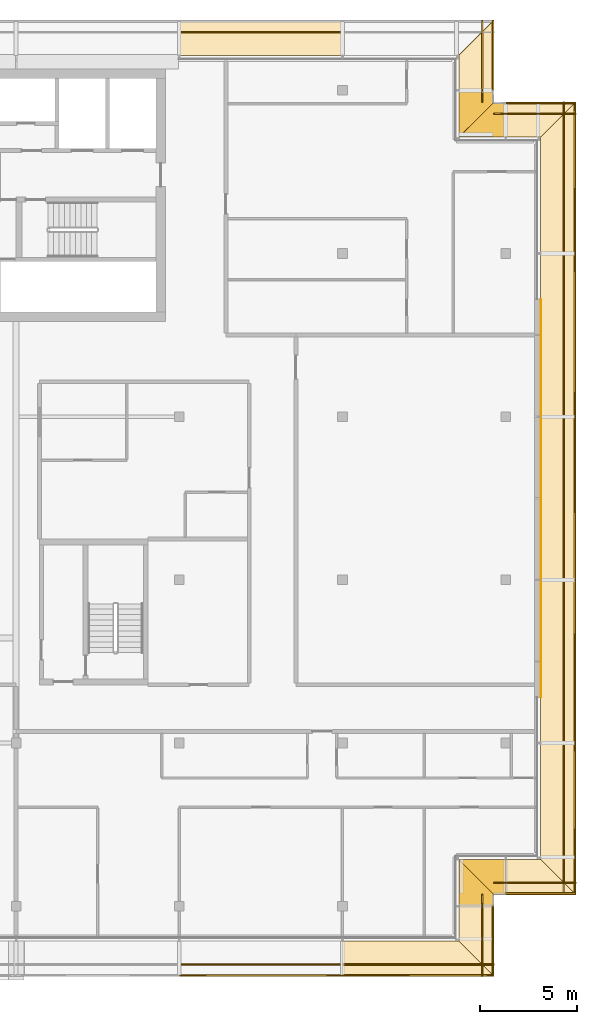
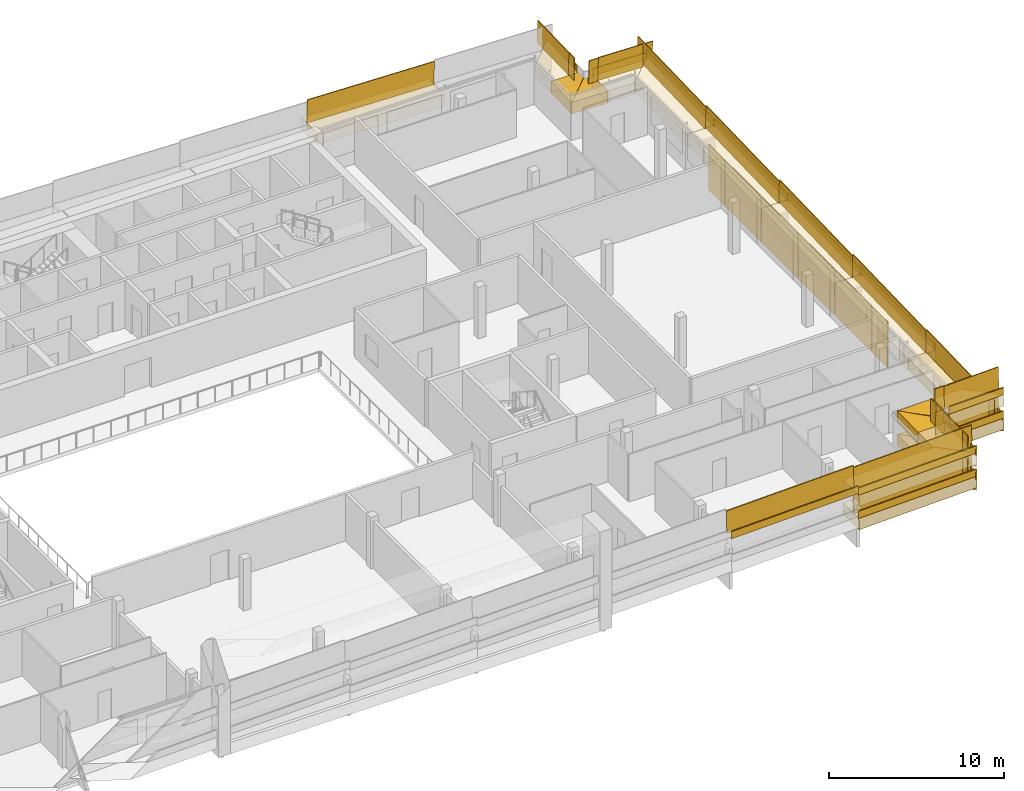
# One storey, part 29 of 33: 40 coverings, 21 railings.
"""IFC4 building model written with IfcOpenShell, lengths in metres."""

from ifc_helpers import new_model, si_unit, direction, frame, origin, origin_2d, place, context, subcontext, project, spatial, polyline, rectangle, outline, extrude, material, layer, layer_set, type_object, element, save


model = new_model("IFC4")

# Units and contexts
model_context = context("Model", 3, precision=1e-05, world=origin(), true_north=direction((0.0, 1.0)))
body_context = subcontext(model_context, "Body", "Model", "MODEL_VIEW")
ifc_project = project(units=[si_unit("LENGTHUNIT", "METRE"), si_unit("AREAUNIT", "SQUARE_METRE"), si_unit("VOLUMEUNIT", "CUBIC_METRE"), si_unit("PLANEANGLEUNIT", "RADIAN"), si_unit("MASSUNIT", "GRAM", prefix="KILO")], contexts=[model_context])

# Site, building, storey
site_placement = place(None, origin())
site = spatial("IfcSite", under=ifc_project, at=site_placement, CompositionType="ELEMENT")
building_placement = place(site_placement, origin())
building = spatial("IfcBuilding", under=site, at=building_placement, Name="Saffron Gate Tower", CompositionType="ELEMENT")
storey_placement = place(building_placement, frame((0.0, 0.0, 263.550048828125)))
storey = spatial("IfcBuildingStorey", under=building, at=storey_placement, Name="L63", CompositionType="ELEMENT", Elevation=263.550048828125)

# Coverings
ifc_material_1 = material(Name="Ceramic-printed bronze insulated panel")
ifc_layer_1 = layer(ifc_material_1, 0.0400390625)
ifc_layer_set_1 = layer_set([ifc_layer_1], Name="CLDA ceramic-printed bay cladding 40")
covering_type_1 = type_object("IfcCoveringType", Name="CLDA ceramic-printed bay cladding 40", PredefinedType="CLADDING", material=ifc_layer_set_1)
covering_1_placement = place(storey_placement, origin())
element("IfcCovering", 1, at=covering_1_placement, inside=storey, type_object=covering_type_1, Name="CLADDING bay panel in front of the arch", PredefinedType="CLADDING", context=body_context, shape_type="SweptSolid", body=[
    extrude(outline(polyline([(127.239990234375, 42.55078125), (127.239990234375, 44.3701171875), (127.199951171875, 44.3701171875), (127.199951171875, 42.55078125), (127.239990234375, 42.55078125)])), origin(), (0.0, 0.0, 1.0), 3.199951171875),
])
covering_2_placement = place(storey_placement, origin())
element("IfcCovering", 2, at=covering_2_placement, inside=storey, type_object=covering_type_1, Name="CLADDING bay panel in front of the arch", PredefinedType="CLADDING", context=body_context, shape_type="SweptSolid", body=[
    extrude(outline(polyline([(127.239990234375, 44.429931640625), (127.239990234375, 48.570068359375), (127.199951171875, 48.570068359375), (127.199951171875, 44.429931640625), (127.239990234375, 44.429931640625)])), origin(), (0.0, 0.0, 1.0), 3.199951171875),
])
covering_3_placement = place(storey_placement, origin())
element("IfcCovering", 3, at=covering_3_placement, inside=storey, type_object=covering_type_1, Name="CLADDING bay panel in front of the arch", PredefinedType="CLADDING", context=body_context, shape_type="SweptSolid", body=[
    extrude(outline(polyline([(127.239990234375, 48.6298828125), (127.239990234375, 52.77001953125), (127.199951171875, 52.77001953125), (127.199951171875, 48.6298828125), (127.239990234375, 48.6298828125)])), origin(), (0.0, 0.0, 1.0), 3.199951171875),
])
covering_4_placement = place(storey_placement, origin())
element("IfcCovering", 4, at=covering_4_placement, inside=storey, type_object=covering_type_1, Name="CLADDING bay panel in front of the arch", PredefinedType="CLADDING", context=body_context, shape_type="SweptSolid", body=[
    extrude(outline(polyline([(127.239990234375, 52.830078125), (127.239990234375, 56.969970703125), (127.199951171875, 56.969970703125), (127.199951171875, 52.830078125), (127.239990234375, 52.830078125)])), origin(), (0.0, 0.0, 1.0), 3.199951171875),
])
covering_5_placement = place(storey_placement, origin())
element("IfcCovering", 5, at=covering_5_placement, inside=storey, type_object=covering_type_1, Name="CLADDING bay panel in front of the arch", PredefinedType="CLADDING", context=body_context, shape_type="SweptSolid", body=[
    extrude(outline(polyline([(127.239990234375, 57.030029296875), (127.239990234375, 61.169921875), (127.199951171875, 61.169921875), (127.199951171875, 57.030029296875), (127.239990234375, 57.030029296875)])), origin(), (0.0, 0.0, 1.0), 3.199951171875),
])
covering_6_placement = place(storey_placement, origin())
element("IfcCovering", 6, at=covering_6_placement, inside=storey, type_object=covering_type_1, Name="CLADDING bay panel in front of the arch", PredefinedType="CLADDING", context=body_context, shape_type="SweptSolid", body=[
    extrude(outline(polyline([(127.239990234375, 61.22998046875), (127.239990234375, 63.04931640625), (127.199951171875, 63.04931640625), (127.199951171875, 61.22998046875), (127.239990234375, 61.22998046875)])), origin(), (0.0, 0.0, 1.0), 3.199951171875),
])
ifc_material_2 = material(Name="Timber, thermally modified ash", Category="wood")
ifc_layer_2 = layer(ifc_material_2, 0.800048828125)
ifc_layer_set_2 = layer_set([ifc_layer_2], Name="LD1 ledge timber")
covering_type_2 = type_object("IfcCoveringType", Name="LD1 ledge timber", PredefinedType="CLADDING", material=ifc_layer_set_2)
covering_7_placement = place(storey_placement, frame((117.0, 30.0, 1.745849609375), z_axis=(-0.028789477025, -2.391759e-05, 0.999585496814), x_axis=(0.9995854971, 1.72e-10, 0.028789477033)))
element("IfcCovering", 7, at=covering_7_placement, inside=storey, type_object=covering_type_2, Name="LEDGE", PredefinedType="CLADDING", context=body_context, shape_type="SweptSolid", body=[
    extrude(outline(polyline([(0.0, 0.0), (6.002489288687248, 8.470329472543003e-22), (7.80328207139786, -1.8000488299785034), (-3.0879623774719253e-10, -1.8000488276101398), (0.0, 0.0)])), origin(), (0.0, 0.0, -1.0), 0.800048828125),
])
covering_8_placement = place(storey_placement, frame((123.0, 30.0, 1.82421875), z_axis=(4.5191264e-05, -0.028786835276, 0.999585572161), x_axis=(2.041e-09, 0.999585573182, 0.028786835305)))
element("IfcCovering", 8, at=covering_8_placement, inside=storey, type_object=covering_type_2, Name="LEDGE", PredefinedType="CLADDING", context=body_context, shape_type="SweptSolid", body=[
    extrude(outline(polyline([(0.0, 0.0), (1.8007927832406818, 0.0), (1.8007927869153135, -1.800048826286925), (-1.8007998076020133, -1.8000488373153904), (0.0, 0.0)])), origin(), (0.0, 0.0, -1.0), 0.800048828125),
])
covering_9_placement = place(storey_placement, frame((123.0, 31.800048828125, 1.84765625), z_axis=(-2.8677152e-05, -0.028798988267, 0.999585222706), x_axis=(-6.17e-10, 0.999585223117, 0.028798988279)))
element("IfcCovering", 9, at=covering_9_placement, inside=storey, type_object=covering_type_2, Name="LEDGE", PredefinedType="CLADDING", context=body_context, shape_type="SweptSolid", body=[
    extrude(outline(polyline([(0.0, 0.0), (2.400896693585025, 4.235164736271502e-22), (0.6001039103565923, -1.8000488292351675), (-1.1098572600196767e-09, -1.8000488273848385), (0.0, 0.0)])), origin(), (0.0, 0.0, -1.0), 0.800048828125),
])
covering_10_placement = place(storey_placement, frame((123.0, 34.199951171875, 1.87890625), z_axis=(-0.028798988267, -2.8677152e-05, 0.999585222706), x_axis=(0.999585223117, -6.17e-10, 0.028798988279)))
element("IfcCovering", 10, at=covering_10_placement, inside=storey, type_object=covering_type_2, Name="LEDGE", PredefinedType="CLADDING", context=body_context, shape_type="SweptSolid", body=[
    extrude(outline(polyline([(0.0, 0.0), (2.400896693585025, -4.235164736271502e-22), (2.400896694694882, -1.8000488273848385), (1.8007927832284332, -1.8000488292351673), (0.0, 0.0)])), origin(), (0.0, 0.0, -1.0), 0.800048828125),
])
covering_11_placement = place(storey_placement, frame((125.39990234375, 34.199951171875, 1.91015625), z_axis=(-0.028831989003, -4.5191205e-05, 0.999584270769), x_axis=(0.999584271789, 2.041e-09, 0.028831989032)))
element("IfcCovering", 11, at=covering_11_placement, inside=storey, type_object=covering_type_2, Name="LEDGE", PredefinedType="CLADDING", context=body_context, shape_type="SweptSolid", body=[
    extrude(outline(polyline([(0.0, 0.0), (1.8007998167885757, 0.0), (3.6015925908427215, -1.800048837315338), (-3.6746077267916745e-09, -1.80004882628693), (0.0, 0.0)])), origin(), (0.0, 0.0, -1.0), 0.800048828125),
])
covering_12_placement = place(storey_placement, frame((127.199951171875, 34.199951171875, 1.933837890625), z_axis=(3.5027307e-05, -0.028807146299, 0.99958498743), x_axis=(3.68e-10, 0.999584988043, 0.028807146316)))
element("IfcCovering", 12, at=covering_12_placement, inside=storey, type_object=covering_type_2, Name="LEDGE", PredefinedType="CLADDING", context=body_context, shape_type="SweptSolid", body=[
    extrude(outline(polyline([(0.0, 0.0), (6.0024892885105, 2.541098841762901e-21), (6.002489289172793, -1.8000488270207489), (-1.800799813548424, -1.8000488321003227), (0.0, 0.0)])), origin(), (0.0, 0.0, -1.0), 0.800048828125),
])
covering_13_placement = place(storey_placement, frame((127.199951171875, 40.199951171875, 2.011962890625), z_axis=(0.0, -0.028819366951, 0.999584635781), x_axis=(0.0, 0.999584635781, 0.028819366951)))
element("IfcCovering", 13, at=covering_13_placement, inside=storey, type_object=covering_type_2, Name="LEDGE", PredefinedType="CLADDING", context=body_context, shape_type="SweptSolid", body=[
    extrude(outline(polyline([(0.0, 0.0), (8.403637054520734, 0.0), (8.403637054520734, -1.800048828125), (0.0, -1.800048828125), (0.0, 0.0)])), origin(), (0.0, 0.0, -1.0), 0.800048828125),
])
for number, where, z_axis, x_axis, name in (
    (14, (127.199951171875, 48.60009765625, 2.121826171875), (0.0, -0.028791175352, 0.999585448184), (0.0, 0.999585448184, 0.028791175352), "LEDGE"),
    (15, (127.199951171875, 57.0, 2.2314453125), (0.0, -0.028791175352, 0.999585448184), (0.0, 0.999585448184, 0.028791175352), "LEDGE"),
):
    element("IfcCovering", number, at=place(storey_placement, frame(where, z_axis=z_axis, x_axis=x_axis)), inside=storey, type_object=covering_type_2, Name=name, PredefinedType="CLADDING", context=body_context, shape_type="SweptSolid", body=[
        extrude(outline(polyline([(0.0, 0.0), (8.403385982666892, 0.0), (8.403385982666892, -1.800048828125), (0.0, -1.800048828125), (0.0, 0.0)])), origin(), (0.0, 0.0, -1.0), 0.800048828125),
    ])
covering_14_placement = place(storey_placement, frame((127.199951171875, 65.39990234375, 2.341064453125), z_axis=(2.391759e-05, -0.028789477025, 0.999585496814), x_axis=(-1.72e-10, 0.9995854971, 0.028789477033)))
element("IfcCovering", 16, at=covering_14_placement, inside=storey, type_object=covering_type_2, Name="LEDGE", PredefinedType="CLADDING", context=body_context, shape_type="SweptSolid", body=[
    extrude(outline(polyline([(0.0, 0.0), (6.002489288687248, 8.470329472543003e-22), (7.80328207139786, -1.8000488299785034), (-3.0879623774719253e-10, -1.8000488276101398), (0.0, 0.0)])), origin(), (0.0, 0.0, -1.0), 0.800048828125),
])
covering_15_placement = place(storey_placement, frame((127.199951171875, 71.39990234375, 2.41943359375), z_axis=(0.028786835276, 4.5191264e-05, 0.999585572161), x_axis=(-0.999585573182, 2.041e-09, 0.028786835305)))
element("IfcCovering", 17, at=covering_15_placement, inside=storey, type_object=covering_type_2, Name="LEDGE", PredefinedType="CLADDING", context=body_context, shape_type="SweptSolid", body=[
    extrude(outline(polyline([(0.0, 0.0), (1.8007927832406818, 0.0), (1.8007927869153135, -1.800048826286925), (-1.8007998076020133, -1.8000488373153904), (0.0, 0.0)])), origin(), (0.0, 0.0, -1.0), 0.800048828125),
])
covering_16_placement = place(storey_placement, frame((125.39990234375, 71.39990234375, 2.44287109375), z_axis=(0.028798988267, -2.8677152e-05, 0.999585222706), x_axis=(-0.999585223117, -6.17e-10, 0.028798988279)))
element("IfcCovering", 18, at=covering_16_placement, inside=storey, type_object=covering_type_2, Name="LEDGE", PredefinedType="CLADDING", context=body_context, shape_type="SweptSolid", body=[
    extrude(outline(polyline([(0.0, 0.0), (2.400896693585025, 4.235164736271502e-22), (0.6001039103565923, -1.8000488292351675), (-1.1098572600196767e-09, -1.8000488273848385), (0.0, 0.0)])), origin(), (0.0, 0.0, -1.0), 0.800048828125),
])
covering_17_placement = place(storey_placement, frame((123.0, 71.39990234375, 2.47412109375), z_axis=(2.6333678e-05, -0.028794305201, 0.999585357683), x_axis=(5.2e-10, 0.99958535803, 0.028794305211)))
element("IfcCovering", 19, at=covering_17_placement, inside=storey, type_object=covering_type_2, Name="LEDGE", PredefinedType="CLADDING", context=body_context, shape_type="SweptSolid", body=[
    extrude(outline(polyline([(0.0, 0.0), (2.401140733194568, 0.0), (2.4011407341303483, -1.8000488275008664), (1.8007927835182762, -1.8000488290612322), (0.0, 0.0)])), origin(), (0.0, 0.0, -1.0), 0.800048828125),
])
covering_18_placement = place(storey_placement, frame((123.0, 73.800048828125, 2.50537109375), z_axis=(4.3887651e-05, -0.028833291474, 0.999584233257), x_axis=(-1.925e-09, 0.99958423422, 0.028833291502)))
element("IfcCovering", 20, at=covering_18_placement, inside=storey, type_object=covering_type_2, Name="LEDGE", PredefinedType="CLADDING", context=body_context, shape_type="SweptSolid", body=[
    extrude(outline(polyline([(0.0, 0.0), (1.8007998168930421, -4.235164736271502e-22), (3.6013485518229187, -1.800048836792318), (-3.4656747156665518e-09, -1.8000488263914396), (0.0, 0.0)])), origin(), (0.0, 0.0, -1.0), 0.800048828125),
])
covering_19_placement = place(storey_placement, frame((117.0, 75.60009765625, 2.607177734375), z_axis=(0.028820203882, 0.0, 0.99958461165), x_axis=(-0.99958461165, 0.0, 0.028820203882)))
element("IfcCovering", 21, at=covering_19_placement, inside=storey, type_object=covering_type_2, Name="LEDGE", PredefinedType="CLADDING", context=body_context, shape_type="SweptSolid", body=[
    extrude(outline(polyline([(0.0, 0.0), (8.40339301530596, 0.0), (8.40339301530596, -1.7998046875), (0.0, -1.7998046875), (0.0, 0.0)])), origin(), (0.0, 0.0, -1.0), 0.800048828125),
])
covering_20_placement = place(storey_placement, frame((117.0, 30.0, 3.374755859375), z_axis=(-0.028789477025, -2.391759e-05, 0.999585496814), x_axis=(0.9995854971, 1.72e-10, 0.028789477033)))
element("IfcCovering", 22, at=covering_20_placement, inside=storey, type_object=covering_type_2, Name="LEDGE", PredefinedType="CLADDING", context=body_context, shape_type="SweptSolid", body=[
    extrude(outline(polyline([(0.0, 0.0), (6.002489288687248, 8.470329472543003e-22), (7.80328207139786, -1.8000488299785034), (-3.0879623774719253e-10, -1.8000488276101398), (0.0, 0.0)])), origin(), (0.0, 0.0, -1.0), 0.800048828125),
])
covering_21_placement = place(storey_placement, frame((123.0, 30.0, 3.453125), z_axis=(0.0, -0.028741681402, 0.999586872538), x_axis=(0.0, 0.999586872538, 0.028741681402)))
element("IfcCovering", 23, at=covering_21_placement, inside=storey, type_object=covering_type_2, Name="LEDGE", PredefinedType="CLADDING", context=body_context, shape_type="SweptSolid", body=[
    extrude(outline(polyline([(0.0, 0.0), (1.8007927850779974, 0.0), (1.8007927850779974, -1.800048828125), (-1.8007927850779974, -1.800048828125), (0.0, 0.0)])), origin(), (0.0, 0.0, -1.0), 0.800048828125),
])
covering_22_placement = place(storey_placement, frame((123.0, 31.800048828125, 3.4765625), z_axis=(-2.8677152e-05, -0.028798988267, 0.999585222706), x_axis=(-6.17e-10, 0.999585223117, 0.028798988279)))
element("IfcCovering", 24, at=covering_22_placement, inside=storey, type_object=covering_type_2, Name="LEDGE", PredefinedType="CLADDING", context=body_context, shape_type="SweptSolid", body=[
    extrude(outline(polyline([(0.0, 0.0), (2.400896693585025, 4.235164736271502e-22), (0.6001039103565923, -1.8000488292351675), (-1.1098572600196767e-09, -1.8000488273848385), (0.0, 0.0)])), origin(), (0.0, 0.0, -1.0), 0.800048828125),
])
covering_23_placement = place(storey_placement, frame((123.0, 34.199951171875, 3.508056640625), z_axis=(-0.028798988267, -2.8677152e-05, 0.999585222706), x_axis=(0.999585223117, -6.17e-10, 0.028798988279)))
element("IfcCovering", 25, at=covering_23_placement, inside=storey, type_object=covering_type_2, Name="LEDGE", PredefinedType="CLADDING", context=body_context, shape_type="SweptSolid", body=[
    extrude(outline(polyline([(0.0, 0.0), (2.400896693585025, -4.235164736271502e-22), (2.400896694694882, -1.8000488273848385), (1.8007927832284332, -1.8000488292351673), (0.0, 0.0)])), origin(), (0.0, 0.0, -1.0), 0.800048828125),
])
covering_24_placement = place(storey_placement, frame((125.39990234375, 34.199951171875, 3.539306640625), z_axis=(-0.028786835276, 4.5191264e-05, 0.999585572161), x_axis=(0.999585573182, 2.041e-09, 0.028786835305)))
element("IfcCovering", 26, at=covering_24_placement, inside=storey, type_object=covering_type_2, Name="LEDGE", PredefinedType="CLADDING", context=body_context, shape_type="SweptSolid", body=[
    extrude(outline(polyline([(0.0, 0.0), (1.8007927832406818, 0.0), (3.601592590842695, -1.8000488373153904), (-3.674631647332522e-09, -1.800048826286925), (0.0, 0.0)])), origin(), (0.0, 0.0, -1.0), 0.800048828125),
])
ifc_layer_3 = layer(ifc_material_2, 0.080078125)
ifc_layer_set_3 = layer_set([ifc_layer_3], Name="LD2 ledge planter trough")
covering_type_3 = type_object("IfcCoveringType", Name="LD2 ledge planter trough", PredefinedType="CLADDING", material=ifc_layer_set_3)
covering_25_placement = place(storey_placement, frame((117.0, 28.199951171875, 1.745849609375), z_axis=(0.0, -1.0, 0.0), x_axis=(0.999585655924, 0.0, 0.028783962047)))
element("IfcCovering", 27, at=covering_25_placement, inside=storey, type_object=covering_type_3, Name="LEDGE planter trough", PredefinedType="CLADDING", context=body_context, shape_type="SweptSolid", body=[
    extrude(outline(polyline([(0.0, 0.0), (7.803282071825423, 2.7755575615628914e-17), (7.817674052849086, 0.4997928279619612), (0.014391981023662846, 0.4997928279619612), (0.0, 0.0)])), origin(), (0.0, 0.0, -1.0), 0.080078125),
])
for number, where, z_axis, x_axis, name in (
    (28, (124.800048828125, 28.199951171875, 1.772216796875), (1.0, 0.0, 0.0), (0.0, 0.99958492274, 0.028809412191), "LEDGE planter trough"),
    (29, (125.39990234375, 32.39990234375, 1.91015625), (0.0, -1.0, 0.0), (0.99958492274, 0.0, 0.028809412191), "LEDGE planter trough"),
):
    element("IfcCovering", number, at=place(storey_placement, frame(where, z_axis=z_axis, x_axis=x_axis)), inside=storey, type_object=covering_type_3, Name=name, PredefinedType="CLADDING", context=body_context, shape_type="SweptSolid", body=[
        extrude(outline(polyline([(0.0, 0.0), (3.601592595435983, 0.0), (3.6159973015313485, 0.4997924613700232), (0.014404706095365512, 0.4997924613700232), (0.0, 0.0)])), origin(), (0.0, 0.0, -1.0), 0.080078125),
    ])
covering_26_placement = place(storey_placement, frame((129.0, 32.39990234375, 1.8818359375), z_axis=(1.0, 0.0, 0.0), x_axis=(0.0, 0.999584755248, 0.028815222999)))
element("IfcCovering", 30, at=covering_26_placement, inside=storey, type_object=covering_type_3, Name="LEDGE planter trough", PredefinedType="CLADDING", context=body_context, shape_type="SweptSolid", body=[
    extrude(outline(polyline([(0.0, 0.0), (7.803289102975944, 0.0), (7.8176967144752565, 0.4997923776238338), (0.014407611499312996, 0.4997923776238338), (0.0, 0.0)])), origin(), (0.0, 0.0, -1.0), 0.080078125),
])
covering_27_placement = place(storey_placement, frame((129.0, 40.199951171875, 2.011962890625), z_axis=(1.0, 0.0, 0.0), x_axis=(0.0, 0.999584635781, 0.028819366951)))
element("IfcCovering", 31, at=covering_27_placement, inside=storey, type_object=covering_type_3, Name="LEDGE planter trough", PredefinedType="CLADDING", context=body_context, shape_type="SweptSolid", body=[
    extrude(outline(polyline([(0.0, 0.0), (8.403637054520734, 2.7755575615628914e-17), (8.418046737996397, 0.49979231789027256), (0.014409683475663392, 0.4997923178902725), (0.0, 0.0)])), origin(), (0.0, 0.0, -1.0), 0.080078125),
])
for number, where, z_axis, x_axis, name in (
    (32, (129.0, 48.60009765625, 2.121826171875), (1.0, 0.0, 0.0), (0.0, 0.999585448184, 0.028791175352), "LEDGE planter trough"),
    (33, (129.0, 57.0, 2.2314453125), (1.0, 0.0, 0.0), (0.0, 0.999585448184, 0.028791175352), "LEDGE planter trough"),
):
    element("IfcCovering", number, at=place(storey_placement, frame(where, z_axis=z_axis, x_axis=x_axis)), inside=storey, type_object=covering_type_3, Name=name, PredefinedType="CLADDING", context=body_context, shape_type="SweptSolid", body=[
        extrude(outline(polyline([(0.0, 0.0), (8.403385982666892, 0.0), (8.417781570342743, 0.49979272409216496), (0.014395587675851172, 0.4997927240921649), (0.0, 0.0)])), origin(), (0.0, 0.0, -1.0), 0.080078125),
    ])
covering_28_placement = place(storey_placement, frame((129.0, 65.39990234375, 2.341064453125), z_axis=(1.0, 0.0, 0.0), x_axis=(0.0, 0.999585655924, 0.028783962047)))
element("IfcCovering", 34, at=covering_28_placement, inside=storey, type_object=covering_type_3, Name="LEDGE planter trough", PredefinedType="CLADDING", context=body_context, shape_type="SweptSolid", body=[
    extrude(outline(polyline([(0.0, 0.0), (7.803282071825423, 2.7755575615628914e-17), (7.817674052849086, 0.4997928279619612), (0.014391981023662846, 0.4997928279619612), (0.0, 0.0)])), origin(), (0.0, 0.0, -1.0), 0.080078125),
])
covering_29_placement = place(storey_placement, frame((129.0, 73.199951171875, 2.367431640625), z_axis=(0.0, 1.0, 0.0), x_axis=(-0.99958492274, 0.0, 0.028809412191)))
element("IfcCovering", 35, at=covering_29_placement, inside=storey, type_object=covering_type_3, Name="LEDGE planter trough", PredefinedType="CLADDING", context=body_context, shape_type="SweptSolid", body=[
    extrude(outline(polyline([(0.0, 0.0), (3.601592595435983, 0.0), (3.6159973015313485, 0.4997924613700232), (0.014404706095365512, 0.4997924613700232), (0.0, 0.0)])), origin(), (0.0, 0.0, -1.0), 0.080078125),
])
covering_30_placement = place(storey_placement, frame((124.800048828125, 73.800048828125, 2.50537109375), z_axis=(1.0, 0.0, 0.0), x_axis=(0.0, 0.999584866472, 0.028811364412)))
element("IfcCovering", 36, at=covering_30_placement, inside=storey, type_object=covering_type_3, Name="LEDGE planter trough", PredefinedType="CLADDING", context=body_context, shape_type="SweptSolid", body=[
    extrude(outline(polyline([(0.0, 0.0), (3.601348556155073, 0.0), (3.6157542383609322, 0.49979243323622236), (0.01440568220585924, 0.49979243323622236), (0.0, 0.0)])), origin(), (0.0, 0.0, -1.0), 0.080078125),
])
covering_31_placement = place(storey_placement, frame((108.60009765625, 28.199951171875, 3.26513671875), z_axis=(0.0, -1.0, 0.0), x_axis=(0.999585448184, 0.0, 0.028791175352)))
element("IfcCovering", 37, at=covering_31_placement, inside=storey, type_object=covering_type_3, Name="LEDGE planter trough", PredefinedType="CLADDING", context=body_context, shape_type="SweptSolid", body=[
    extrude(outline(polyline([(0.0, 0.0), (8.403385982666892, 0.0), (8.417781570342743, 0.49979272409216496), (0.014395587675851172, 0.4997927240921649), (0.0, 0.0)])), origin(), (0.0, 0.0, -1.0), 0.080078125),
])
covering_32_placement = place(storey_placement, frame((117.0, 28.199951171875, 3.374755859375), z_axis=(0.0, -1.0, 0.0), x_axis=(0.999585655924, 0.0, 0.028783962047)))
element("IfcCovering", 38, at=covering_32_placement, inside=storey, type_object=covering_type_3, Name="LEDGE planter trough", PredefinedType="CLADDING", context=body_context, shape_type="SweptSolid", body=[
    extrude(outline(polyline([(0.0, 0.0), (7.803282071825423, 2.7755575615628914e-17), (7.817674052849086, 0.4997928279619612), (0.014391981023662846, 0.4997928279619612), (0.0, 0.0)])), origin(), (0.0, 0.0, -1.0), 0.080078125),
])
covering_33_placement = place(storey_placement, frame((124.800048828125, 28.199951171875, 3.4013671875), z_axis=(1.0, 0.0, 0.0), x_axis=(0.0, 0.999586872538, 0.028741681402)))
element("IfcCovering", 39, at=covering_33_placement, inside=storey, type_object=covering_type_3, Name="LEDGE planter trough", PredefinedType="CLADDING", context=body_context, shape_type="SweptSolid", body=[
    extrude(outline(polyline([(0.0, 0.0), (3.601585570155995, 0.0), (3.6159564108570694, 0.49979343626896944), (0.014370840701074394, 0.4997934362689694), (0.0, 0.0)])), origin(), (0.0, 0.0, -1.0), 0.080078125),
])
covering_34_placement = place(storey_placement, frame((125.39990234375, 32.39990234375, 3.539306640625), z_axis=(0.0, -1.0, 0.0), x_axis=(0.99958492274, 0.0, 0.028809412191)))
element("IfcCovering", 40, at=covering_34_placement, inside=storey, type_object=covering_type_3, Name="LEDGE planter trough", PredefinedType="CLADDING", context=body_context, shape_type="SweptSolid", body=[
    extrude(outline(polyline([(0.0, 0.0), (3.601592595435983, 0.0), (3.6159973015313485, 0.4997924613700232), (0.014404706095365512, 0.4997924613700232), (0.0, 0.0)])), origin(), (0.0, 0.0, -1.0), 0.080078125),
])

# Railings
railing_type = type_object("IfcRailingType", Name="LG1 ledge balustrade", PredefinedType="BALUSTRADE", material=ifc_material_2)
railing_1_placement = place(storey_placement, frame((117.0, 28.800048828125, 1.745849609375)))
element("IfcRailing", 41, at=railing_1_placement, inside=storey, type_object=railing_type, Name="LEDGE BALUSTRADE", PredefinedType="BALUSTRADE", context=body_context, shape_type="SweptSolid", body=[
    extrude(rectangle(XDim=0.06005859375, YDim=1.60009765625, at=origin_2d()), frame((0.0, 0.0, 0.800048828125), z_axis=(0.999585655924, 0.0, 0.028783962047), x_axis=(0.0, 1.0, 0.0)), (0.0, 0.0, 1.0), 7.80322265625),
])
railing_2_placement = place(storey_placement, frame((124.199951171875, 28.199951171875, 1.772216796875)))
element("IfcRailing", 42, at=railing_2_placement, inside=storey, type_object=railing_type, Name="LEDGE BALUSTRADE", PredefinedType="BALUSTRADE", context=body_context, shape_type="SweptSolid", body=[
    extrude(rectangle(XDim=0.06005859375, YDim=1.60009765625, at=origin_2d()), frame((0.0, 0.0, 0.800048828125), z_axis=(0.0, 0.99958492274, 0.028809412191), x_axis=(-1.0, 0.0, 0.0)), (0.0, 0.0, 1.0), 3.6015625),
])
railing_3_placement = place(storey_placement, frame((124.199951171875, 31.800048828125, 1.84765625)))
element("IfcRailing", 43, at=railing_3_placement, inside=storey, type_object=railing_type, Name="LEDGE BALUSTRADE", PredefinedType="BALUSTRADE", context=body_context, shape_type="SweptSolid", body=[
    extrude(rectangle(XDim=0.06005859375, YDim=1.60009765625, at=origin_2d()), frame((0.0, 0.0, 0.800048828125), z_axis=(0.0, 0.999582742162, 0.028884971385), x_axis=(-1.0, 0.0, 0.0)), (0.0, 0.0, 1.0), 0.60009765625),
])
railing_4_placement = place(storey_placement, frame((124.800048828125, 33.0, 1.9306640625)))
element("IfcRailing", 44, at=railing_4_placement, inside=storey, type_object=railing_type, Name="LEDGE BALUSTRADE", PredefinedType="BALUSTRADE", context=body_context, shape_type="SweptSolid", body=[
    extrude(rectangle(XDim=0.06005859375, YDim=1.60009765625, at=origin_2d()), frame((0.0, 0.0, 0.800048828125), z_axis=(0.999582742162, 0.0, 0.028884971385), x_axis=(0.0, 1.0, 0.0)), (0.0, 0.0, 1.0), 0.60009765625),
])
railing_5_placement = place(storey_placement, frame((125.39990234375, 33.0, 1.91015625)))
element("IfcRailing", 45, at=railing_5_placement, inside=storey, type_object=railing_type, Name="LEDGE BALUSTRADE", PredefinedType="BALUSTRADE", context=body_context, shape_type="SweptSolid", body=[
    extrude(rectangle(XDim=0.06005859375, YDim=1.60009765625, at=origin_2d()), frame((0.0, 0.0, 0.800048828125), z_axis=(0.99958492274, 0.0, 0.028809412191), x_axis=(0.0, 1.0, 0.0)), (0.0, 0.0, 1.0), 3.6015625),
])
railing_6_placement = place(storey_placement, frame((128.39990234375, 32.39990234375, 1.8818359375)))
element("IfcRailing", 46, at=railing_6_placement, inside=storey, type_object=railing_type, Name="LEDGE BALUSTRADE", PredefinedType="BALUSTRADE", context=body_context, shape_type="SweptSolid", body=[
    extrude(rectangle(XDim=0.06005859375, YDim=1.60009765625, at=origin_2d()), frame((0.0, 0.0, 0.800048828125), z_axis=(0.0, 0.999584755248, 0.028815222999), x_axis=(-1.0, 0.0, 0.0)), (0.0, 0.0, 1.0), 7.80322265625),
])
railing_7_placement = place(storey_placement, frame((128.39990234375, 40.199951171875, 2.011962890625)))
element("IfcRailing", 47, at=railing_7_placement, inside=storey, type_object=railing_type, Name="LEDGE BALUSTRADE", PredefinedType="BALUSTRADE", context=body_context, shape_type="SweptSolid", body=[
    extrude(rectangle(XDim=0.06005859375, YDim=1.60009765625, at=origin_2d()), frame((0.0, 0.0, 0.800048828125), z_axis=(0.0, 0.999584635781, 0.028819366951), x_axis=(-1.0, 0.0, 0.0)), (0.0, 0.0, 1.0), 8.403564453125),
])
for number, where, name in (
    (48, (128.39990234375, 48.60009765625, 2.121826171875), "LEDGE BALUSTRADE"),
    (49, (128.39990234375, 57.0, 2.2314453125), "LEDGE BALUSTRADE"),
):
    element("IfcRailing", number, at=place(storey_placement, frame(where)), inside=storey, type_object=railing_type, Name=name, PredefinedType="BALUSTRADE", context=body_context, shape_type="SweptSolid", body=[
        extrude(rectangle(XDim=0.06005859375, YDim=1.60009765625, at=origin_2d()), frame((0.0, 0.0, 0.800048828125), z_axis=(0.0, 0.999585448184, 0.028791175352), x_axis=(-1.0, 0.0, 0.0)), (0.0, 0.0, 1.0), 8.4033203125),
    ])
railing_8_placement = place(storey_placement, frame((128.39990234375, 65.39990234375, 2.341064453125)))
element("IfcRailing", 50, at=railing_8_placement, inside=storey, type_object=railing_type, Name="LEDGE BALUSTRADE", PredefinedType="BALUSTRADE", context=body_context, shape_type="SweptSolid", body=[
    extrude(rectangle(XDim=0.06005859375, YDim=1.60009765625, at=origin_2d()), frame((0.0, 0.0, 0.800048828125), z_axis=(0.0, 0.999585655924, 0.028783962047), x_axis=(-1.0, 0.0, 0.0)), (0.0, 0.0, 1.0), 7.80322265625),
])
railing_9_placement = place(storey_placement, frame((129.0, 72.60009765625, 2.367431640625)))
element("IfcRailing", 51, at=railing_9_placement, inside=storey, type_object=railing_type, Name="LEDGE BALUSTRADE", PredefinedType="BALUSTRADE", context=body_context, shape_type="SweptSolid", body=[
    extrude(rectangle(XDim=0.06005859375, YDim=1.60009765625, at=origin_2d()), frame((0.0, 0.0, 0.800048828125), z_axis=(-0.99958492274, 0.0, 0.028809412191), x_axis=(0.0, -1.0, 0.0)), (0.0, 0.0, 1.0), 3.6015625),
])
railing_10_placement = place(storey_placement, frame((125.39990234375, 72.60009765625, 2.44287109375)))
element("IfcRailing", 52, at=railing_10_placement, inside=storey, type_object=railing_type, Name="LEDGE BALUSTRADE", PredefinedType="BALUSTRADE", context=body_context, shape_type="SweptSolid", body=[
    extrude(rectangle(XDim=0.06005859375, YDim=1.60009765625, at=origin_2d()), frame((0.0, 0.0, 0.800048828125), z_axis=(-0.999582742162, 0.0, 0.028884971385), x_axis=(0.0, -1.0, 0.0)), (0.0, 0.0, 1.0), 0.60009765625),
])
railing_11_placement = place(storey_placement, frame((124.199951171875, 73.199951171875, 2.52587890625)))
element("IfcRailing", 53, at=railing_11_placement, inside=storey, type_object=railing_type, Name="LEDGE BALUSTRADE", PredefinedType="BALUSTRADE", context=body_context, shape_type="SweptSolid", body=[
    extrude(rectangle(XDim=0.06005859375, YDim=1.60009765625, at=origin_2d()), frame((0.0, 0.0, 0.800048828125), z_axis=(0.0, 0.999583081391, 0.028873229772), x_axis=(-1.0, 0.0, 0.0)), (0.0, 0.0, 1.0), 0.600341796875),
])
railing_12_placement = place(storey_placement, frame((124.199951171875, 73.800048828125, 2.50537109375)))
element("IfcRailing", 54, at=railing_12_placement, inside=storey, type_object=railing_type, Name="LEDGE BALUSTRADE", PredefinedType="BALUSTRADE", context=body_context, shape_type="SweptSolid", body=[
    extrude(rectangle(XDim=0.06005859375, YDim=1.60009765625, at=origin_2d()), frame((0.0, 0.0, 0.800048828125), z_axis=(0.0, 0.999584866472, 0.028811364412), x_axis=(-1.0, 0.0, 0.0)), (0.0, 0.0, 1.0), 3.601318359375),
])
railing_13_placement = place(storey_placement, frame((117.0, 76.800048828125, 2.607177734375)))
element("IfcRailing", 55, at=railing_13_placement, inside=storey, type_object=railing_type, Name="LEDGE BALUSTRADE", PredefinedType="BALUSTRADE", context=body_context, shape_type="SweptSolid", body=[
    extrude(rectangle(XDim=0.06005859375, YDim=1.60009765625, at=origin_2d()), frame((0.0, 0.0, 0.800048828125), z_axis=(-0.99958461165, 0.0, 0.028820203882), x_axis=(0.0, -1.0, 0.0)), (0.0, 0.0, 1.0), 8.4033203125),
])
railing_14_placement = place(storey_placement, frame((108.60009765625, 28.800048828125, 3.26513671875)))
element("IfcRailing", 56, at=railing_14_placement, inside=storey, type_object=railing_type, Name="LEDGE BALUSTRADE", PredefinedType="BALUSTRADE", context=body_context, shape_type="SweptSolid", body=[
    extrude(rectangle(XDim=0.06005859375, YDim=1.60009765625, at=origin_2d()), frame((0.0, 0.0, 0.800048828125), z_axis=(0.999585448184, 0.0, 0.028791175352), x_axis=(0.0, 1.0, 0.0)), (0.0, 0.0, 1.0), 8.4033203125),
])
railing_15_placement = place(storey_placement, frame((117.0, 28.800048828125, 3.374755859375)))
element("IfcRailing", 57, at=railing_15_placement, inside=storey, type_object=railing_type, Name="LEDGE BALUSTRADE", PredefinedType="BALUSTRADE", context=body_context, shape_type="SweptSolid", body=[
    extrude(rectangle(XDim=0.06005859375, YDim=1.60009765625, at=origin_2d()), frame((0.0, 0.0, 0.800048828125), z_axis=(0.999585655924, 0.0, 0.028783962047), x_axis=(0.0, 1.0, 0.0)), (0.0, 0.0, 1.0), 7.80322265625),
])
railing_16_placement = place(storey_placement, frame((124.199951171875, 28.199951171875, 3.4013671875)))
element("IfcRailing", 58, at=railing_16_placement, inside=storey, type_object=railing_type, Name="LEDGE BALUSTRADE", PredefinedType="BALUSTRADE", context=body_context, shape_type="SweptSolid", body=[
    extrude(rectangle(XDim=0.06005859375, YDim=1.60009765625, at=origin_2d()), frame((0.0, 0.0, 0.800048828125), z_axis=(0.0, 0.999586872538, 0.028741681402), x_axis=(-1.0, 0.0, 0.0)), (0.0, 0.0, 1.0), 3.6015625),
])
railing_17_placement = place(storey_placement, frame((124.199951171875, 31.800048828125, 3.4765625)))
element("IfcRailing", 59, at=railing_17_placement, inside=storey, type_object=railing_type, Name="LEDGE BALUSTRADE", PredefinedType="BALUSTRADE", context=body_context, shape_type="SweptSolid", body=[
    extrude(rectangle(XDim=0.06005859375, YDim=1.60009765625, at=origin_2d()), frame((0.0, 0.0, 0.800048828125), z_axis=(0.0, 0.999582742162, 0.028884971385), x_axis=(-1.0, 0.0, 0.0)), (0.0, 0.0, 1.0), 0.60009765625),
])
railing_18_placement = place(storey_placement, frame((124.800048828125, 33.0, 3.559814453125)))
element("IfcRailing", 60, at=railing_18_placement, inside=storey, type_object=railing_type, Name="LEDGE BALUSTRADE", PredefinedType="BALUSTRADE", context=body_context, shape_type="SweptSolid", body=[
    extrude(rectangle(XDim=0.06005859375, YDim=1.60009765625, at=origin_2d()), frame((0.0, 0.0, 0.800048828125), z_axis=(0.999582742162, 0.0, 0.028884971385), x_axis=(0.0, 1.0, 0.0)), (0.0, 0.0, 1.0), 0.60009765625),
])
railing_19_placement = place(storey_placement, frame((125.39990234375, 33.0, 3.539306640625)))
element("IfcRailing", 61, at=railing_19_placement, inside=storey, type_object=railing_type, Name="LEDGE BALUSTRADE", PredefinedType="BALUSTRADE", context=body_context, shape_type="SweptSolid", body=[
    extrude(rectangle(XDim=0.06005859375, YDim=1.60009765625, at=origin_2d()), frame((0.0, 0.0, 0.800048828125), z_axis=(0.99958492274, 0.0, 0.028809412191), x_axis=(0.0, 1.0, 0.0)), (0.0, 0.0, 1.0), 3.6015625),
])

save(model, "model.ifc")
